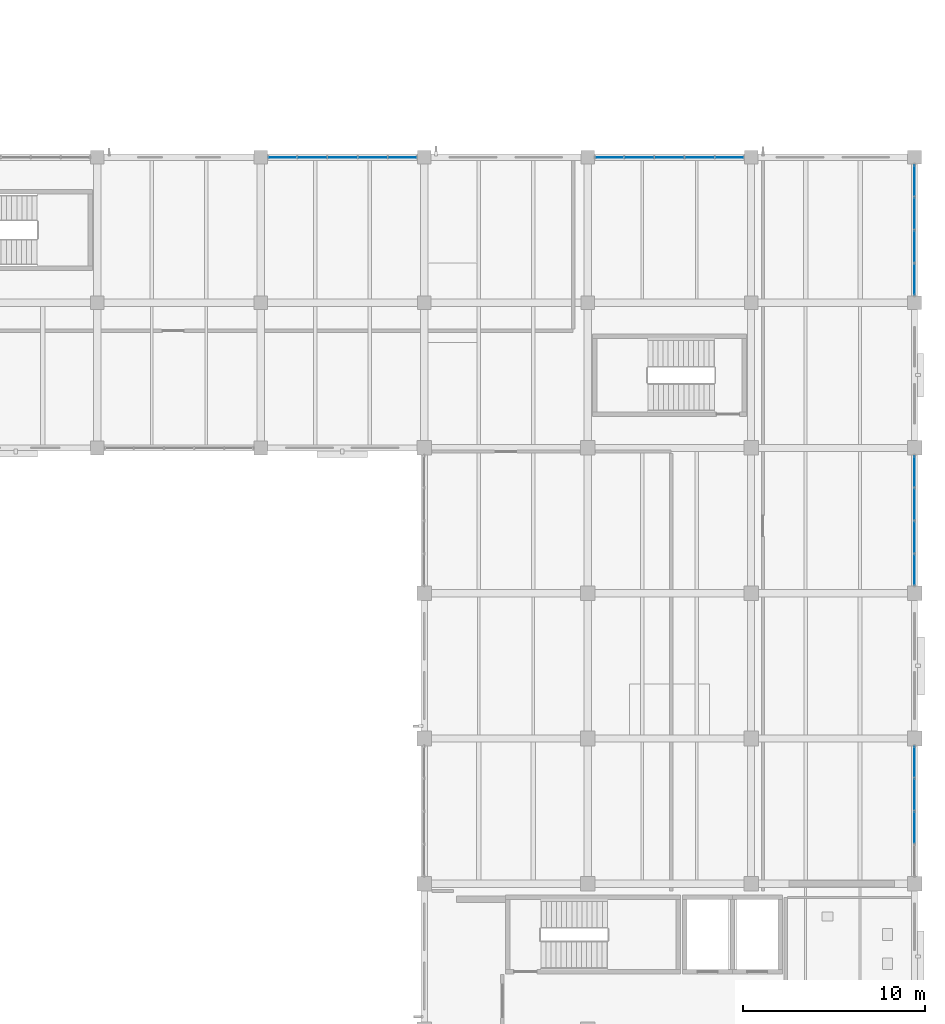
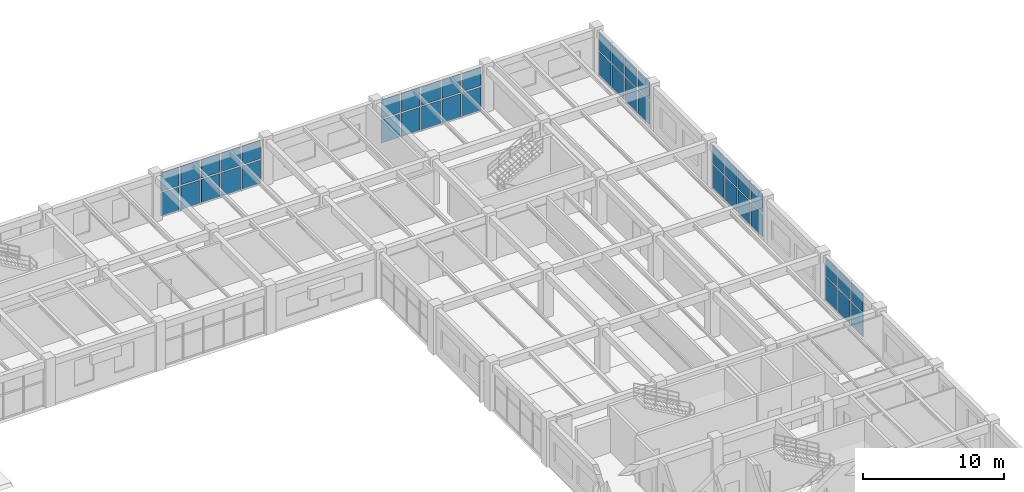
# One storey, part 123 of 148: 42 plates, 5 elements without a shape of their own.
"""IFC4 building model written with IfcOpenShell, lengths in metres."""

import ifcopenshell
import ifcopenshell.guid

model = None  # the IFC model being written
_history = None  # IfcOwnerHistory: only IFC2X3 demands one
_inside = {}  # id of a spatial element -> (the spatial element, [elements in it])
_under = {}  # id of a project, library or spatial element -> (it, [spatial elements below it])
_declared = {}  # id of a project -> (the project, [libraries it declares])
_typed = {}  # id of a type object -> (the type object, [elements of that type])
_made_of = {}  # id of a material, layer set ... -> (it, [elements and type objects made of it])


def new_model(schema):
    """Start an empty IFC model of exactly this schema.

    Asked for "IFC4X3", IfcOpenShell would pick the latest addendum, in which some entities
    have other attributes; the version numbers below select the first issue.
    IFC2X3 requires an IfcOwnerHistory on every rooted entity: one is made here for all.
    """
    global model, _history
    if schema == "IFC4X3":
        model = ifcopenshell.file(schema_version=(4, 3, 0, 0))
    else:
        model = ifcopenshell.file(schema=schema)
    _inside.clear()
    _under.clear()
    _declared.clear()
    _typed.clear()
    _made_of.clear()
    _history = None
    if model.schema == "IFC2X3":
        org = make("IfcOrganization", Name="unknown")
        user = make(
            "IfcPersonAndOrganization",
            ThePerson=make("IfcPerson", FamilyName="unknown"),
            TheOrganization=org,
        )
        app = make(
            "IfcApplication",
            ApplicationDeveloper=org,
            Version="unknown",
            ApplicationFullName="unknown",
            ApplicationIdentifier="unknown",
        )
        _history = make(
            "IfcOwnerHistory",
            OwningUser=user,
            OwningApplication=app,
            ChangeAction="ADDED",
            CreationDate=0,
        )
    return model


def make(cls, **values):
    """One entity of the class cls with the attributes given. An attribute that is None is left unset."""
    return model.create_entity(
        cls, **{name: value for name, value in values.items() if value is not None}
    )


def rooted(cls, **values):
    """An entity with a GlobalId (a new one), such as an element, a storey or a relation."""
    return make(cls, GlobalId=ifcopenshell.guid.new(), OwnerHistory=_history, **values)


def si_unit(unit_type, name, prefix=None):
    """IfcSIUnit, for example si_unit("LENGTHUNIT", "METRE", prefix="MILLI")."""
    return make("IfcSIUnit", UnitType=unit_type, Prefix=prefix, Name=name)


def derived_unit(unit_type, elements):
    """IfcDerivedUnit: a product of units, each with its exponent."""
    return make(
        "IfcDerivedUnit",
        Elements=[
            make("IfcDerivedUnitElement", Unit=unit, Exponent=power)
            for unit, power in elements
        ],
        UnitType=unit_type,
    )


def assignment(units):
    """IfcUnitAssignment: the units of a project."""
    return None if units is None else make("IfcUnitAssignment", Units=units)


def point(xyz):
    """IfcCartesianPoint."""
    return None if xyz is None else make("IfcCartesianPoint", Coordinates=xyz)


def direction(xyz):
    """IfcDirection."""
    return None if xyz is None else make("IfcDirection", DirectionRatios=xyz)


def frame(location, z_axis=None, x_axis=None):
    """IfcAxis2Placement3D, a coordinate frame: its origin and axes. An axis left out is left unset."""
    return make(
        "IfcAxis2Placement3D",
        Location=point(location),
        Axis=direction(z_axis),
        RefDirection=direction(x_axis),
    )


def frame_2d(location, x_axis=None):
    """IfcAxis2Placement2D, a coordinate frame in the plane: its origin and x axis."""
    return make(
        "IfcAxis2Placement2D", Location=point(location), RefDirection=direction(x_axis)
    )


def origin():
    """The frame at (0, 0, 0) with its axes left unset."""
    return frame((0.0, 0.0, 0.0))


def origin_2d():
    """The frame at (0, 0) in the plane with its x axis left unset."""
    return frame_2d((0.0, 0.0))


def place(relative_to, where):
    """IfcLocalPlacement: puts the frame where relative to a parent placement (None: the world)."""
    return make(
        "IfcLocalPlacement", PlacementRelTo=relative_to, RelativePlacement=where
    )


def context(
    kind, dimensions, precision=None, world=None, true_north=None, identifier=None
):
    """IfcGeometricRepresentationContext, for example the 3D "Model" context."""
    return make(
        "IfcGeometricRepresentationContext",
        ContextIdentifier=identifier,
        ContextType=kind,
        CoordinateSpaceDimension=dimensions,
        Precision=precision,
        WorldCoordinateSystem=world,
        TrueNorth=true_north,
    )


def subcontext(parent, identifier, kind, view, scale=None):
    """IfcGeometricRepresentationSubContext, for example "Body" below "Model"."""
    return make(
        "IfcGeometricRepresentationSubContext",
        ContextIdentifier=identifier,
        ContextType=kind,
        ParentContext=parent,
        TargetScale=scale,
        TargetView=view,
    )


def project(units=None, contexts=None):
    """IfcProject with its units and contexts."""
    return rooted(
        "IfcProject",
        Name="project",
        RepresentationContexts=contexts,
        UnitsInContext=assignment(units),
    )


def spatial(cls, under=None, at=None, **own):
    """A site, building, storey or space (cls), placed at a placement, below another one or the project."""
    s = rooted(cls, ObjectPlacement=at, **own)
    if under is not None:
        _under.setdefault(under.id(), (under, []))[1].append(s)
    return s


def profile(cls, at=None, kind="AREA", **sizes):
    """A parametric profile (cls). Its sizes go by their IFC names, for example OverallWidth=200.0."""
    return make(cls, ProfileType=kind, Position=at, **sizes)


def rectangle(**sizes):
    """IfcRectangleProfileDef."""
    return profile("IfcRectangleProfileDef", **sizes)


def extrude(swept, where, along, depth):
    """IfcExtrudedAreaSolid: the profile swept, set in the frame where, extruded along a direction by depth."""
    return make(
        "IfcExtrudedAreaSolid",
        SweptArea=swept,
        Position=where,
        ExtrudedDirection=direction(along),
        Depth=depth,
    )


def shape(context_of_items, identifier, shape_type, items):
    """IfcShapeRepresentation: the items that make up one representation, for example the "Body"."""
    return make(
        "IfcShapeRepresentation",
        ContextOfItems=context_of_items,
        RepresentationIdentifier=identifier,
        RepresentationType=shape_type,
        Items=items,
    )


def material(Name=None, Category=None):
    """IfcMaterial."""
    return make("IfcMaterial", Name=Name, Category=Category)


def layer(
    of_material, thickness, ventilated=None, Name=None, Category=None, Priority=None
):
    """IfcMaterialLayer: one layer of a wall or slab, of a material (None: an air gap)."""
    return make(
        "IfcMaterialLayer",
        Material=of_material,
        LayerThickness=thickness,
        IsVentilated=ventilated,
        Name=Name,
        Category=Category,
        Priority=Priority,
    )


def layer_set(layers, Name=None):
    """IfcMaterialLayerSet."""
    return make("IfcMaterialLayerSet", MaterialLayers=layers, LayerSetName=Name)


def made_of(thing, what):
    """Note that an element or type object is made of a material, layer set ...; save() writes the relation."""
    if what is not None:
        _made_of.setdefault(what.id(), (what, []))[1].append(thing)
    return thing


def type_object(cls, material=None, **own):
    """A type object (cls), such as IfcWallType, which elements share."""
    return made_of(rooted(cls, **own), material)


def element(
    cls,
    number,
    at=None,
    inside=None,
    cuts=None,
    type_object=None,
    material=None,
    context=None,
    identifier="Body",
    shape_type=None,
    held_by="IfcProductDefinitionShape",
    body=None,
    shapes=None,
    **own,
):
    """One element of the class cls, such as IfcWall. Its Tag is "e" and its number.

    at: its placement. inside: the storey or other place that contains it. cuts: it is an
    opening in that element (IfcRelVoidsElement). A single representation is given by context,
    identifier, shape_type and body (its items); several are given by shapes. held_by: the class
    of the entity that holds the representations. save() writes the other relations.
    """
    e = rooted(cls, Tag="e%d" % number, ObjectPlacement=at, **own)
    if body is not None:
        shapes = [shape(context, identifier, shape_type, body)]
    if shapes is not None:
        e.Representation = make(held_by, Representations=shapes)
    if inside is not None:
        _inside.setdefault(inside.id(), (inside, []))[1].append(e)
    if cuts is not None:
        rooted(
            "IfcRelVoidsElement", RelatingBuildingElement=cuts, RelatedOpeningElement=e
        )
    if type_object is not None:
        _typed.setdefault(type_object.id(), (type_object, []))[1].append(e)
    return made_of(e, material)


def aggregate(whole, parts):
    """IfcRelAggregates: a whole, such as a stair, and the parts it consists of."""
    return rooted("IfcRelAggregates", RelatingObject=whole, RelatedObjects=parts)


def save(model, path):
    """Write the relations noted so far, then the file.

    IfcRelAggregates (storeys below a building ...), IfcRelContainedInSpatialStructure (elements
    in a storey), IfcRelDefinesByType, IfcRelAssociatesMaterial and IfcRelDeclares: one each for
    every whole, place, type object, material and project.
    """
    for whole, parts in _under.values():
        aggregate(whole, parts)
    for where, things in _inside.values():
        rooted(
            "IfcRelContainedInSpatialStructure",
            RelatedElements=things,
            RelatingStructure=where,
        )
    for kind, things in _typed.values():
        rooted("IfcRelDefinesByType", RelatedObjects=things, RelatingType=kind)
    for what, things in _made_of.values():
        rooted("IfcRelAssociatesMaterial", RelatedObjects=things, RelatingMaterial=what)
    for by, libraries in _declared.values():
        rooted("IfcRelDeclares", RelatingContext=by, RelatedDefinitions=libraries)
    model.write(path)


model = new_model("IFC4")

# Units and contexts
model_context = context("Model", 3, precision=1e-05, world=origin(), true_north=direction((0.0, 1.0)))
body_context = subcontext(model_context, "Body", "Model", "MODEL_VIEW")
ifc_project = project(units=[si_unit("LENGTHUNIT", "METRE"), si_unit("AREAUNIT", "SQUARE_METRE"), si_unit("VOLUMEUNIT", "CUBIC_METRE"), si_unit("PLANEANGLEUNIT", "RADIAN"), si_unit("MASSUNIT", "GRAM", prefix="KILO"), derived_unit("THERMALTRANSMITTANCEUNIT", [(si_unit("MASSUNIT", "GRAM", prefix="KILO"), 1), (si_unit("TIMEUNIT", "SECOND"), -3), (si_unit("THERMODYNAMICTEMPERATUREUNIT", "KELVIN"), -1)])], contexts=[model_context])

# Site, building, storey
site_placement = place(None, origin())
site = spatial("IfcSite", under=ifc_project, at=site_placement, CompositionType="ELEMENT")
building_placement = place(site_placement, origin())
building = spatial("IfcBuilding", under=site, at=building_placement, Name="Zhenchuan Archway Interchange", CompositionType="ELEMENT")
storey_placement = place(building_placement, frame((0.0, 0.0, 10.199951171875)))
storey = spatial("IfcBuildingStorey", under=building, at=storey_placement, Name="L02", CompositionType="ELEMENT", Elevation=10.199951171875)

# Curtain wall, plates
ifc_material_1 = material(Name="Anodised Aluminium", Category="aluminium")
curtain_wall_type_1 = type_object("IfcCurtainWallType", Name="CW_UNIT_2", PredefinedType="NOTDEFINED", material=ifc_material_1)
curtain_wall_1_placement = place(storey_placement, origin())
curtain_wall_1 = element("IfcCurtainWall", 1, at=curtain_wall_1_placement, inside=storey, type_object=curtain_wall_type_1, Name="Unitised curtain wall CW:L02:149", PredefinedType="NOTDEFINED")
ifc_material_2 = material(Name="Double Low-E Insulated Glazing", Category="glass")
ifc_layer_1 = layer(ifc_material_2, 0.028076171875)
ifc_layer_set_1 = layer_set([ifc_layer_1], Name="Double Low-E Insulated Glazing")
plate_type_1 = type_object("IfcPlateType", Name="CW_GLZ_1", PredefinedType="CURTAIN_PANEL", material=ifc_layer_set_1)
plate_1_placement = place(storey_placement, frame((136.184326171875, 104.0, 0.080078125), z_axis=(0.0, 0.0, 1.0), x_axis=(1.0, 0.0, 0.0)))
plate_1 = element("IfcPlate", 2, at=plate_1_placement, type_object=plate_type_1, Name="CW:L02:149 lower glazing panel 0", PredefinedType="CURTAIN_PANEL", context=body_context, shape_type="SweptSolid", body=[
    extrude(rectangle(XDim=1.502685546875, YDim=0.028076171875, at=origin_2d()), origin(), (0.0, 0.0, 1.0), 2.0048828125),
])
plate_2_placement = place(storey_placement, frame((137.837158203125, 104.0, 0.080078125), z_axis=(0.0, 0.0, 1.0), x_axis=(1.0, 0.0, 0.0)))
plate_2 = element("IfcPlate", 3, at=plate_2_placement, type_object=plate_type_1, Name="CW:L02:149 lower glazing panel 1", PredefinedType="CURTAIN_PANEL", context=body_context, shape_type="SweptSolid", body=[
    extrude(rectangle(XDim=1.522705078125, YDim=0.028076171875, at=origin_2d()), origin(), (0.0, 0.0, 1.0), 2.0048828125),
])
plate_3_placement = place(storey_placement, frame((139.5, 104.0, 0.080078125), z_axis=(0.0, 0.0, 1.0), x_axis=(1.0, 0.0, 0.0)))
plate_3 = element("IfcPlate", 4, at=plate_3_placement, type_object=plate_type_1, Name="CW:L02:149 lower glazing panel 2", PredefinedType="CURTAIN_PANEL", context=body_context, shape_type="SweptSolid", body=[
    extrude(rectangle(XDim=1.522705078125, YDim=0.028076171875, at=origin_2d()), origin(), (0.0, 0.0, 1.0), 2.0048828125),
])
plate_4_placement = place(storey_placement, frame((141.162841796875, 104.0, 0.080078125), z_axis=(0.0, 0.0, 1.0), x_axis=(1.0, 0.0, 0.0)))
plate_4 = element("IfcPlate", 5, at=plate_4_placement, type_object=plate_type_1, Name="CW:L02:149 lower glazing panel 3", PredefinedType="CURTAIN_PANEL", context=body_context, shape_type="SweptSolid", body=[
    extrude(rectangle(XDim=1.522705078125, YDim=0.028076171875, at=origin_2d()), origin(), (0.0, 0.0, 1.0), 2.0048828125),
])
plate_5_placement = place(storey_placement, frame((142.815673828125, 104.0, 0.080078125), z_axis=(0.0, 0.0, 1.0), x_axis=(1.0, 0.0, 0.0)))
plate_5 = element("IfcPlate", 6, at=plate_5_placement, type_object=plate_type_1, Name="CW:L02:149 lower glazing panel 4", PredefinedType="CURTAIN_PANEL", context=body_context, shape_type="SweptSolid", body=[
    extrude(rectangle(XDim=1.502685546875, YDim=0.028076171875, at=origin_2d()), origin(), (0.0, 0.0, 1.0), 2.0048828125),
])

curtain_wall_type_2 = type_object("IfcCurtainWallType", Name="CW_UNIT_3", PredefinedType="NOTDEFINED", material=ifc_material_1)
curtain_wall_2_placement = place(storey_placement, origin())
curtain_wall_2 = element("IfcCurtainWall", 7, at=curtain_wall_2_placement, inside=storey, type_object=curtain_wall_type_2, Name="Unitised curtain wall CW:L02:150", PredefinedType="NOTDEFINED")
plate_6_placement = place(storey_placement, frame((154.184326171875, 104.0, 0.080078125), z_axis=(0.0, 0.0, 1.0), x_axis=(1.0, 0.0, 0.0)))
plate_6 = element("IfcPlate", 8, at=plate_6_placement, type_object=plate_type_1, Name="CW:L02:150 lower glazing panel 0", PredefinedType="CURTAIN_PANEL", context=body_context, shape_type="SweptSolid", body=[
    extrude(rectangle(XDim=1.502685546875, YDim=0.028076171875, at=origin_2d()), origin(), (0.0, 0.0, 1.0), 2.0048828125),
])
plate_7_placement = place(storey_placement, frame((155.837158203125, 104.0, 0.080078125), z_axis=(0.0, 0.0, 1.0), x_axis=(1.0, 0.0, 0.0)))
plate_7 = element("IfcPlate", 9, at=plate_7_placement, type_object=plate_type_1, Name="CW:L02:150 lower glazing panel 1", PredefinedType="CURTAIN_PANEL", context=body_context, shape_type="SweptSolid", body=[
    extrude(rectangle(XDim=1.522705078125, YDim=0.028076171875, at=origin_2d()), origin(), (0.0, 0.0, 1.0), 2.0048828125),
])
plate_8_placement = place(storey_placement, frame((157.5, 104.0, 0.080078125), z_axis=(0.0, 0.0, 1.0), x_axis=(1.0, 0.0, 0.0)))
plate_8 = element("IfcPlate", 10, at=plate_8_placement, type_object=plate_type_1, Name="CW:L02:150 lower glazing panel 2", PredefinedType="CURTAIN_PANEL", context=body_context, shape_type="SweptSolid", body=[
    extrude(rectangle(XDim=1.522705078125, YDim=0.028076171875, at=origin_2d()), origin(), (0.0, 0.0, 1.0), 2.0048828125),
])
plate_9_placement = place(storey_placement, frame((159.162841796875, 104.0, 0.080078125), z_axis=(0.0, 0.0, 1.0), x_axis=(1.0, 0.0, 0.0)))
plate_9 = element("IfcPlate", 11, at=plate_9_placement, type_object=plate_type_1, Name="CW:L02:150 lower glazing panel 3", PredefinedType="CURTAIN_PANEL", context=body_context, shape_type="SweptSolid", body=[
    extrude(rectangle(XDim=1.522705078125, YDim=0.028076171875, at=origin_2d()), origin(), (0.0, 0.0, 1.0), 2.0048828125),
])
plate_10_placement = place(storey_placement, frame((160.815673828125, 104.0, 0.080078125), z_axis=(0.0, 0.0, 1.0), x_axis=(1.0, 0.0, 0.0)))
plate_10 = element("IfcPlate", 12, at=plate_10_placement, type_object=plate_type_1, Name="CW:L02:150 lower glazing panel 4", PredefinedType="CURTAIN_PANEL", context=body_context, shape_type="SweptSolid", body=[
    extrude(rectangle(XDim=1.502685546875, YDim=0.028076171875, at=origin_2d()), origin(), (0.0, 0.0, 1.0), 2.0048828125),
])

# Plate
ifc_layer_2 = layer(ifc_material_2, 0.02587890625)
ifc_layer_set_2 = layer_set([ifc_layer_2], Name="Double Low-E Insulated Glazing")
plate_type_2 = type_object("IfcPlateType", Name="CW_GLZ_2", PredefinedType="CURTAIN_PANEL", material=ifc_layer_set_2)
plate_11_placement = place(storey_placement, frame((136.184326171875, 104.0, 2.205078125), z_axis=(0.0, 0.0, 1.0), x_axis=(1.0, 0.0, 0.0)))
plate_11 = element("IfcPlate", 13, at=plate_11_placement, type_object=plate_type_2, Name="CW:L02:149 upper glazing panel 0", PredefinedType="CURTAIN_PANEL", context=body_context, shape_type="SweptSolid", body=[
    extrude(rectangle(XDim=1.502685546875, YDim=0.02587890625, at=origin_2d()), origin(), (0.0, 0.0, 1.0), 1.614990234375),
])

plate_12_placement = place(storey_placement, frame((137.837158203125, 104.0, 2.205078125), z_axis=(0.0, 0.0, 1.0), x_axis=(1.0, 0.0, 0.0)))
plate_12 = element("IfcPlate", 14, at=plate_12_placement, type_object=plate_type_2, Name="CW:L02:149 upper glazing panel 1", PredefinedType="CURTAIN_PANEL", context=body_context, shape_type="SweptSolid", body=[
    extrude(rectangle(XDim=1.522705078125, YDim=0.02587890625, at=origin_2d()), origin(), (0.0, 0.0, 1.0), 1.614990234375),
])

plate_13_placement = place(storey_placement, frame((139.5, 104.0, 2.205078125), z_axis=(0.0, 0.0, 1.0), x_axis=(1.0, 0.0, 0.0)))
plate_13 = element("IfcPlate", 15, at=plate_13_placement, type_object=plate_type_2, Name="CW:L02:149 upper glazing panel 2", PredefinedType="CURTAIN_PANEL", context=body_context, shape_type="SweptSolid", body=[
    extrude(rectangle(XDim=1.522705078125, YDim=0.02587890625, at=origin_2d()), origin(), (0.0, 0.0, 1.0), 1.614990234375),
])

plate_14_placement = place(storey_placement, frame((141.162841796875, 104.0, 2.205078125), z_axis=(0.0, 0.0, 1.0), x_axis=(1.0, 0.0, 0.0)))
plate_14 = element("IfcPlate", 16, at=plate_14_placement, type_object=plate_type_2, Name="CW:L02:149 upper glazing panel 3", PredefinedType="CURTAIN_PANEL", context=body_context, shape_type="SweptSolid", body=[
    extrude(rectangle(XDim=1.522705078125, YDim=0.02587890625, at=origin_2d()), origin(), (0.0, 0.0, 1.0), 1.614990234375),
])

plate_15_placement = place(storey_placement, frame((142.815673828125, 104.0, 2.205078125), z_axis=(0.0, 0.0, 1.0), x_axis=(1.0, 0.0, 0.0)))
plate_15 = element("IfcPlate", 17, at=plate_15_placement, type_object=plate_type_2, Name="CW:L02:149 upper glazing panel 4", PredefinedType="CURTAIN_PANEL", context=body_context, shape_type="SweptSolid", body=[
    extrude(rectangle(XDim=1.502685546875, YDim=0.02587890625, at=origin_2d()), origin(), (0.0, 0.0, 1.0), 1.614990234375),
])

aggregate(curtain_wall_1, [plate_1, plate_11, plate_2, plate_12, plate_3, plate_13, plate_4, plate_14, plate_5, plate_15])

plate_16_placement = place(storey_placement, frame((154.184326171875, 104.0, 2.205078125), z_axis=(0.0, 0.0, 1.0), x_axis=(1.0, 0.0, 0.0)))
plate_16 = element("IfcPlate", 18, at=plate_16_placement, type_object=plate_type_2, Name="CW:L02:150 upper glazing panel 0", PredefinedType="CURTAIN_PANEL", context=body_context, shape_type="SweptSolid", body=[
    extrude(rectangle(XDim=1.502685546875, YDim=0.02587890625, at=origin_2d()), origin(), (0.0, 0.0, 1.0), 1.614990234375),
])

plate_17_placement = place(storey_placement, frame((155.837158203125, 104.0, 2.205078125), z_axis=(0.0, 0.0, 1.0), x_axis=(1.0, 0.0, 0.0)))
plate_17 = element("IfcPlate", 19, at=plate_17_placement, type_object=plate_type_2, Name="CW:L02:150 upper glazing panel 1", PredefinedType="CURTAIN_PANEL", context=body_context, shape_type="SweptSolid", body=[
    extrude(rectangle(XDim=1.522705078125, YDim=0.02587890625, at=origin_2d()), origin(), (0.0, 0.0, 1.0), 1.614990234375),
])

plate_18_placement = place(storey_placement, frame((157.5, 104.0, 2.205078125), z_axis=(0.0, 0.0, 1.0), x_axis=(1.0, 0.0, 0.0)))
plate_18 = element("IfcPlate", 20, at=plate_18_placement, type_object=plate_type_2, Name="CW:L02:150 upper glazing panel 2", PredefinedType="CURTAIN_PANEL", context=body_context, shape_type="SweptSolid", body=[
    extrude(rectangle(XDim=1.522705078125, YDim=0.02587890625, at=origin_2d()), origin(), (0.0, 0.0, 1.0), 1.614990234375),
])

plate_19_placement = place(storey_placement, frame((159.162841796875, 104.0, 2.205078125), z_axis=(0.0, 0.0, 1.0), x_axis=(1.0, 0.0, 0.0)))
plate_19 = element("IfcPlate", 21, at=plate_19_placement, type_object=plate_type_2, Name="CW:L02:150 upper glazing panel 3", PredefinedType="CURTAIN_PANEL", context=body_context, shape_type="SweptSolid", body=[
    extrude(rectangle(XDim=1.522705078125, YDim=0.02587890625, at=origin_2d()), origin(), (0.0, 0.0, 1.0), 1.614990234375),
])

plate_20_placement = place(storey_placement, frame((160.815673828125, 104.0, 2.205078125), z_axis=(0.0, 0.0, 1.0), x_axis=(1.0, 0.0, 0.0)))
plate_20 = element("IfcPlate", 22, at=plate_20_placement, type_object=plate_type_2, Name="CW:L02:150 upper glazing panel 4", PredefinedType="CURTAIN_PANEL", context=body_context, shape_type="SweptSolid", body=[
    extrude(rectangle(XDim=1.502685546875, YDim=0.02587890625, at=origin_2d()), origin(), (0.0, 0.0, 1.0), 1.614990234375),
])

aggregate(curtain_wall_2, [plate_6, plate_16, plate_7, plate_17, plate_8, plate_18, plate_9, plate_19, plate_10, plate_20])

# Curtain wall, plates
curtain_wall_type_3 = type_object("IfcCurtainWallType", Name="CW_UNIT_4", PredefinedType="NOTDEFINED", material=ifc_material_1)
curtain_wall_3_placement = place(storey_placement, origin())
curtain_wall_3 = element("IfcCurtainWall", 23, at=curtain_wall_3_placement, inside=storey, type_object=curtain_wall_type_3, Name="Unitised curtain wall CW:L02:151", PredefinedType="NOTDEFINED")
ifc_layer_3 = layer(ifc_material_2, 0.030029296875)
ifc_layer_set_3 = layer_set([ifc_layer_3], Name="Double Low-E Insulated Glazing")
plate_type_3 = type_object("IfcPlateType", Name="CW_GLZ_3", PredefinedType="CURTAIN_PANEL", material=ifc_layer_set_3)
plate_21_placement = place(storey_placement, frame((171.0, 102.732666015625, 0.080078125), z_axis=(0.0, 0.0, 1.0), x_axis=(0.0, -1.0, 0.0)))
plate_21 = element("IfcPlate", 24, at=plate_21_placement, type_object=plate_type_3, Name="CW:L02:151 lower glazing panel 0", PredefinedType="CURTAIN_PANEL", context=body_context, shape_type="SweptSolid", body=[
    extrude(rectangle(XDim=1.66845703125, YDim=0.028076171875, at=origin_2d()), origin(), (0.0, 0.0, 1.0), 2.0048828125),
])
plate_22_placement = place(storey_placement, frame((171.0, 100.914306640625, 0.080078125), z_axis=(0.0, 0.0, 1.0), x_axis=(0.0, -1.0, 0.0)))
plate_22 = element("IfcPlate", 25, at=plate_22_placement, type_object=plate_type_3, Name="CW:L02:151 lower glazing panel 1", PredefinedType="CURTAIN_PANEL", context=body_context, shape_type="SweptSolid", body=[
    extrude(rectangle(XDim=1.6884765625, YDim=0.028076171875, at=origin_2d()), origin(), (0.0, 0.0, 1.0), 2.0048828125),
])
plate_23_placement = place(storey_placement, frame((171.0, 99.085693359375, 0.080078125), z_axis=(0.0, 0.0, 1.0), x_axis=(0.0, -1.0, 0.0)))
plate_23 = element("IfcPlate", 26, at=plate_23_placement, type_object=plate_type_3, Name="CW:L02:151 lower glazing panel 2", PredefinedType="CURTAIN_PANEL", context=body_context, shape_type="SweptSolid", body=[
    extrude(rectangle(XDim=1.6884765625, YDim=0.028076171875, at=origin_2d()), origin(), (0.0, 0.0, 1.0), 2.0048828125),
])
plate_24_placement = place(storey_placement, frame((171.0, 97.267333984375, 0.080078125), z_axis=(0.0, 0.0, 1.0), x_axis=(0.0, -1.0, 0.0)))
plate_24 = element("IfcPlate", 27, at=plate_24_placement, type_object=plate_type_3, Name="CW:L02:151 lower glazing panel 3", PredefinedType="CURTAIN_PANEL", context=body_context, shape_type="SweptSolid", body=[
    extrude(rectangle(XDim=1.66845703125, YDim=0.028076171875, at=origin_2d()), origin(), (0.0, 0.0, 1.0), 2.0048828125),
])

curtain_wall_type_4 = type_object("IfcCurtainWallType", Name="CW_UNIT_1", PredefinedType="NOTDEFINED", material=ifc_material_1)
curtain_wall_4_placement = place(storey_placement, origin())
curtain_wall_4 = element("IfcCurtainWall", 28, at=curtain_wall_4_placement, inside=storey, type_object=curtain_wall_type_4, Name="Unitised curtain wall CW:L02:152", PredefinedType="NOTDEFINED")
plate_25_placement = place(storey_placement, frame((171.0, 86.714111328125, 0.080078125), z_axis=(0.0, 0.0, 1.0), x_axis=(0.0, -1.0, 0.0)))
plate_25 = element("IfcPlate", 29, at=plate_25_placement, type_object=plate_type_3, Name="CW:L02:152 lower glazing panel 0", PredefinedType="CURTAIN_PANEL", context=body_context, shape_type="SweptSolid", body=[
    extrude(rectangle(XDim=1.656005859375, YDim=0.028076171875, at=origin_2d()), origin(), (0.0, 0.0, 1.0), 2.0048828125),
])
plate_26_placement = place(storey_placement, frame((171.0, 84.907958984375, 0.080078125), z_axis=(0.0, 0.0, 1.0), x_axis=(0.0, -1.0, 0.0)))
plate_26 = element("IfcPlate", 30, at=plate_26_placement, type_object=plate_type_3, Name="CW:L02:152 lower glazing panel 1", PredefinedType="CURTAIN_PANEL", context=body_context, shape_type="SweptSolid", body=[
    extrude(rectangle(XDim=1.676025390625, YDim=0.028076171875, at=origin_2d()), origin(), (0.0, 0.0, 1.0), 2.0048828125),
])
plate_27_placement = place(storey_placement, frame((171.0, 83.092041015625, 0.080078125), z_axis=(0.0, 0.0, 1.0), x_axis=(0.0, -1.0, 0.0)))
plate_27 = element("IfcPlate", 31, at=plate_27_placement, type_object=plate_type_3, Name="CW:L02:152 lower glazing panel 2", PredefinedType="CURTAIN_PANEL", context=body_context, shape_type="SweptSolid", body=[
    extrude(rectangle(XDim=1.676025390625, YDim=0.028076171875, at=origin_2d()), origin(), (0.0, 0.0, 1.0), 2.0048828125),
])
plate_28_placement = place(storey_placement, frame((171.0, 81.285888671875, 0.080078125), z_axis=(0.0, 0.0, 1.0), x_axis=(0.0, -1.0, 0.0)))
plate_28 = element("IfcPlate", 32, at=plate_28_placement, type_object=plate_type_3, Name="CW:L02:152 lower glazing panel 3", PredefinedType="CURTAIN_PANEL", context=body_context, shape_type="SweptSolid", body=[
    extrude(rectangle(XDim=1.656005859375, YDim=0.028076171875, at=origin_2d()), origin(), (0.0, 0.0, 1.0), 2.0048828125),
])

curtain_wall_5_placement = place(storey_placement, origin())
curtain_wall_5 = element("IfcCurtainWall", 33, at=curtain_wall_5_placement, inside=storey, type_object=curtain_wall_type_1, Name="Unitised curtain wall CW:L02:153", PredefinedType="NOTDEFINED")
plate_29_placement = place(storey_placement, frame((171.0, 70.714111328125, 0.080078125), z_axis=(0.0, 0.0, 1.0), x_axis=(0.0, -1.0, 0.0)))
plate_29 = element("IfcPlate", 34, at=plate_29_placement, type_object=plate_type_3, Name="CW:L02:153 lower glazing panel 0", PredefinedType="CURTAIN_PANEL", context=body_context, shape_type="SweptSolid", body=[
    extrude(rectangle(XDim=1.656005859375, YDim=0.028076171875, at=origin_2d()), origin(), (0.0, 0.0, 1.0), 2.0048828125),
])
plate_30_placement = place(storey_placement, frame((171.0, 68.907958984375, 0.080078125), z_axis=(0.0, 0.0, 1.0), x_axis=(0.0, -1.0, 0.0)))
plate_30 = element("IfcPlate", 35, at=plate_30_placement, type_object=plate_type_3, Name="CW:L02:153 lower glazing panel 1", PredefinedType="CURTAIN_PANEL", context=body_context, shape_type="SweptSolid", body=[
    extrude(rectangle(XDim=1.676025390625, YDim=0.028076171875, at=origin_2d()), origin(), (0.0, 0.0, 1.0), 2.0048828125),
])
plate_31_placement = place(storey_placement, frame((171.0, 67.092041015625, 0.080078125), z_axis=(0.0, 0.0, 1.0), x_axis=(0.0, -1.0, 0.0)))
plate_31 = element("IfcPlate", 36, at=plate_31_placement, type_object=plate_type_3, Name="CW:L02:153 lower glazing panel 2", PredefinedType="CURTAIN_PANEL", context=body_context, shape_type="SweptSolid", body=[
    extrude(rectangle(XDim=1.676025390625, YDim=0.028076171875, at=origin_2d()), origin(), (0.0, 0.0, 1.0), 2.0048828125),
])

# Plate
ifc_layer_4 = layer(ifc_material_2, 0.02392578125)
ifc_layer_set_4 = layer_set([ifc_layer_4], Name="Double Low-E Insulated Glazing")
plate_type_4 = type_object("IfcPlateType", Name="CW_GLZ_4", PredefinedType="CURTAIN_PANEL", material=ifc_layer_set_4)
plate_32_placement = place(storey_placement, frame((171.0, 102.732666015625, 2.205078125), z_axis=(0.0, 0.0, 1.0), x_axis=(0.0, -1.0, 0.0)))
plate_32 = element("IfcPlate", 37, at=plate_32_placement, type_object=plate_type_4, Name="CW:L02:151 upper glazing panel 0", PredefinedType="CURTAIN_PANEL", context=body_context, shape_type="SweptSolid", body=[
    extrude(rectangle(XDim=1.66845703125, YDim=0.02587890625, at=origin_2d()), origin(), (0.0, 0.0, 1.0), 1.614990234375),
])

plate_33_placement = place(storey_placement, frame((171.0, 100.914306640625, 2.205078125), z_axis=(0.0, 0.0, 1.0), x_axis=(0.0, -1.0, 0.0)))
plate_33 = element("IfcPlate", 38, at=plate_33_placement, type_object=plate_type_4, Name="CW:L02:151 upper glazing panel 1", PredefinedType="CURTAIN_PANEL", context=body_context, shape_type="SweptSolid", body=[
    extrude(rectangle(XDim=1.6884765625, YDim=0.02587890625, at=origin_2d()), origin(), (0.0, 0.0, 1.0), 1.614990234375),
])

plate_34_placement = place(storey_placement, frame((171.0, 99.085693359375, 2.205078125), z_axis=(0.0, 0.0, 1.0), x_axis=(0.0, -1.0, 0.0)))
plate_34 = element("IfcPlate", 39, at=plate_34_placement, type_object=plate_type_4, Name="CW:L02:151 upper glazing panel 2", PredefinedType="CURTAIN_PANEL", context=body_context, shape_type="SweptSolid", body=[
    extrude(rectangle(XDim=1.6884765625, YDim=0.02587890625, at=origin_2d()), origin(), (0.0, 0.0, 1.0), 1.614990234375),
])

plate_35_placement = place(storey_placement, frame((171.0, 97.267333984375, 2.205078125), z_axis=(0.0, 0.0, 1.0), x_axis=(0.0, -1.0, 0.0)))
plate_35 = element("IfcPlate", 40, at=plate_35_placement, type_object=plate_type_4, Name="CW:L02:151 upper glazing panel 3", PredefinedType="CURTAIN_PANEL", context=body_context, shape_type="SweptSolid", body=[
    extrude(rectangle(XDim=1.66845703125, YDim=0.02587890625, at=origin_2d()), origin(), (0.0, 0.0, 1.0), 1.614990234375),
])

aggregate(curtain_wall_3, [plate_21, plate_32, plate_22, plate_33, plate_23, plate_34, plate_24, plate_35])

plate_36_placement = place(storey_placement, frame((171.0, 86.714111328125, 2.205078125), z_axis=(0.0, 0.0, 1.0), x_axis=(0.0, -1.0, 0.0)))
plate_36 = element("IfcPlate", 41, at=plate_36_placement, type_object=plate_type_4, Name="CW:L02:152 upper glazing panel 0", PredefinedType="CURTAIN_PANEL", context=body_context, shape_type="SweptSolid", body=[
    extrude(rectangle(XDim=1.656005859375, YDim=0.02587890625, at=origin_2d()), origin(), (0.0, 0.0, 1.0), 1.614990234375),
])

plate_37_placement = place(storey_placement, frame((171.0, 84.907958984375, 2.205078125), z_axis=(0.0, 0.0, 1.0), x_axis=(0.0, -1.0, 0.0)))
plate_37 = element("IfcPlate", 42, at=plate_37_placement, type_object=plate_type_4, Name="CW:L02:152 upper glazing panel 1", PredefinedType="CURTAIN_PANEL", context=body_context, shape_type="SweptSolid", body=[
    extrude(rectangle(XDim=1.676025390625, YDim=0.02587890625, at=origin_2d()), origin(), (0.0, 0.0, 1.0), 1.614990234375),
])

plate_38_placement = place(storey_placement, frame((171.0, 83.092041015625, 2.205078125), z_axis=(0.0, 0.0, 1.0), x_axis=(0.0, -1.0, 0.0)))
plate_38 = element("IfcPlate", 43, at=plate_38_placement, type_object=plate_type_4, Name="CW:L02:152 upper glazing panel 2", PredefinedType="CURTAIN_PANEL", context=body_context, shape_type="SweptSolid", body=[
    extrude(rectangle(XDim=1.676025390625, YDim=0.02587890625, at=origin_2d()), origin(), (0.0, 0.0, 1.0), 1.614990234375),
])

plate_39_placement = place(storey_placement, frame((171.0, 81.285888671875, 2.205078125), z_axis=(0.0, 0.0, 1.0), x_axis=(0.0, -1.0, 0.0)))
plate_39 = element("IfcPlate", 44, at=plate_39_placement, type_object=plate_type_4, Name="CW:L02:152 upper glazing panel 3", PredefinedType="CURTAIN_PANEL", context=body_context, shape_type="SweptSolid", body=[
    extrude(rectangle(XDim=1.656005859375, YDim=0.02587890625, at=origin_2d()), origin(), (0.0, 0.0, 1.0), 1.614990234375),
])

aggregate(curtain_wall_4, [plate_25, plate_36, plate_26, plate_37, plate_27, plate_38, plate_28, plate_39])

plate_40_placement = place(storey_placement, frame((171.0, 70.714111328125, 2.205078125), z_axis=(0.0, 0.0, 1.0), x_axis=(0.0, -1.0, 0.0)))
plate_40 = element("IfcPlate", 45, at=plate_40_placement, type_object=plate_type_4, Name="CW:L02:153 upper glazing panel 0", PredefinedType="CURTAIN_PANEL", context=body_context, shape_type="SweptSolid", body=[
    extrude(rectangle(XDim=1.656005859375, YDim=0.02587890625, at=origin_2d()), origin(), (0.0, 0.0, 1.0), 1.614990234375),
])

plate_41_placement = place(storey_placement, frame((171.0, 68.907958984375, 2.205078125), z_axis=(0.0, 0.0, 1.0), x_axis=(0.0, -1.0, 0.0)))
plate_41 = element("IfcPlate", 46, at=plate_41_placement, type_object=plate_type_4, Name="CW:L02:153 upper glazing panel 1", PredefinedType="CURTAIN_PANEL", context=body_context, shape_type="SweptSolid", body=[
    extrude(rectangle(XDim=1.676025390625, YDim=0.02587890625, at=origin_2d()), origin(), (0.0, 0.0, 1.0), 1.614990234375),
])

plate_42_placement = place(storey_placement, frame((171.0, 67.092041015625, 2.205078125), z_axis=(0.0, 0.0, 1.0), x_axis=(0.0, -1.0, 0.0)))
plate_42 = element("IfcPlate", 47, at=plate_42_placement, type_object=plate_type_4, Name="CW:L02:153 upper glazing panel 2", PredefinedType="CURTAIN_PANEL", context=body_context, shape_type="SweptSolid", body=[
    extrude(rectangle(XDim=1.676025390625, YDim=0.02587890625, at=origin_2d()), origin(), (0.0, 0.0, 1.0), 1.614990234375),
])

aggregate(curtain_wall_5, [plate_29, plate_40, plate_30, plate_41, plate_31, plate_42])

save(model, "model.ifc")
